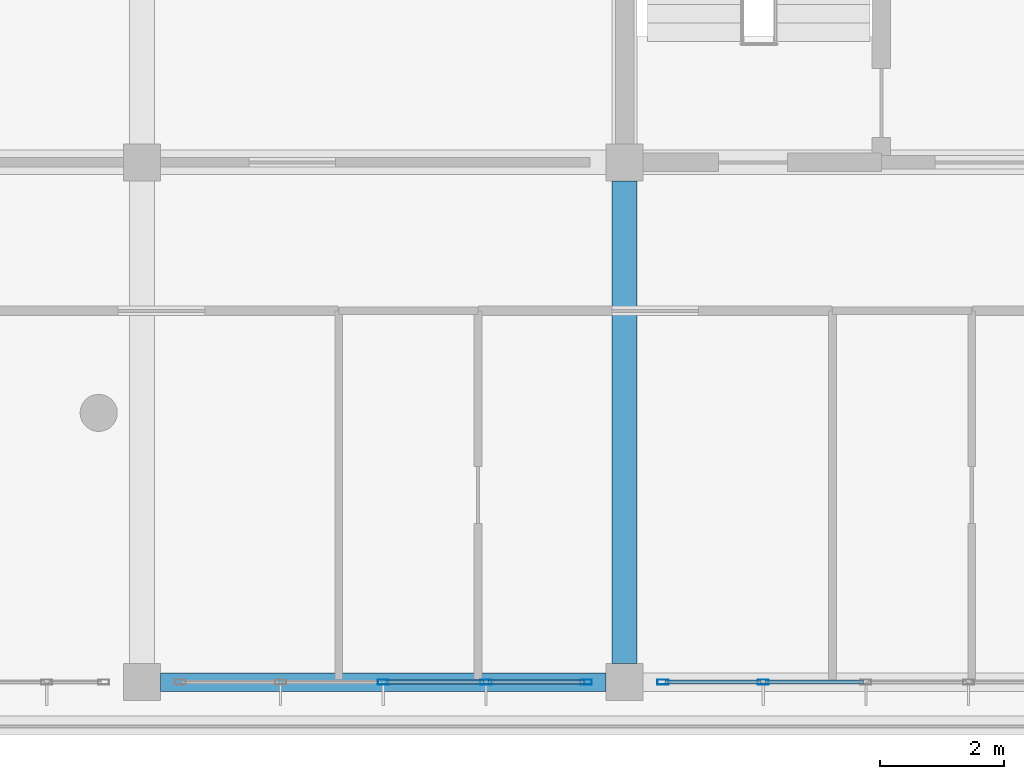
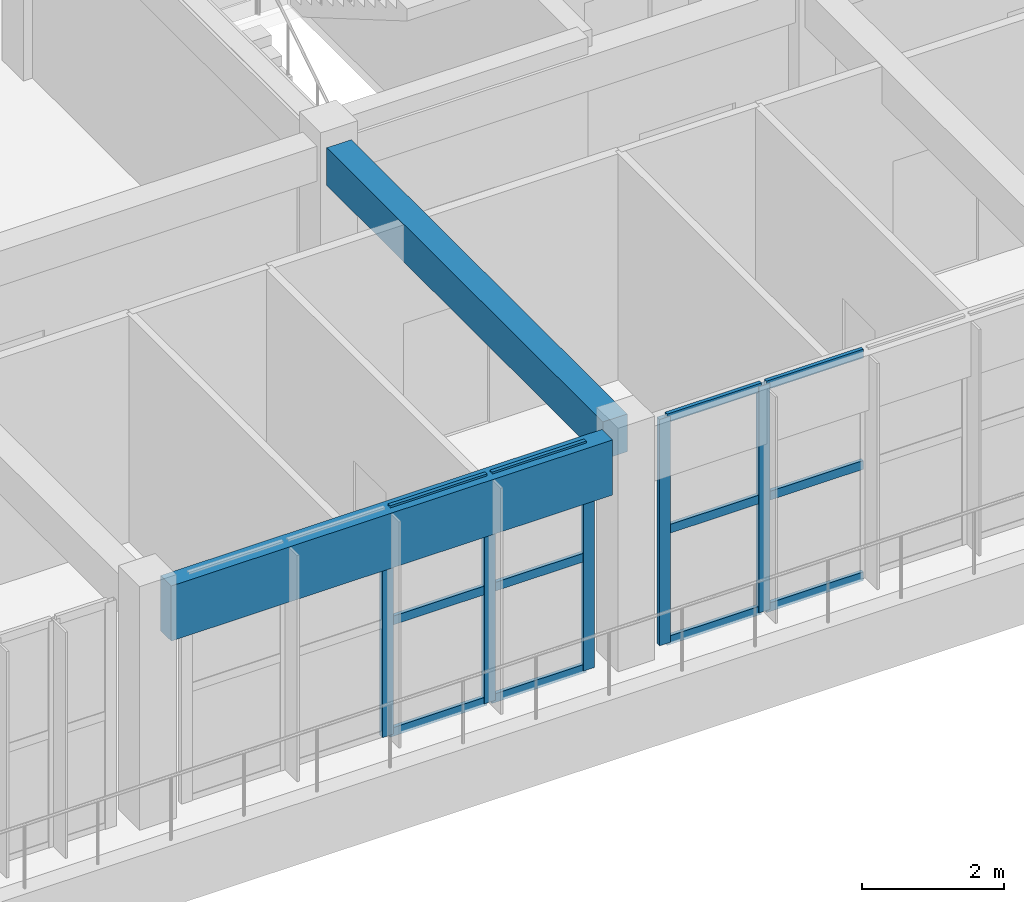
# One storey, part 5 of 56: 17 members, 2 beams, 2 elements without a shape of their own.
"""IFC4 building model written with IfcOpenShell, lengths in metres."""

from ifc_helpers import new_model, si_unit, direction, frame, origin, origin_2d, place, context, subcontext, project, spatial, rectangle, hollow_rectangle, extrude, material, layer, layer_set, material_profile, profile_set, type_object, element, aggregate, save


model = new_model("IFC4")

# Units and contexts
model_context = context("Model", 3, precision=1e-05, world=origin(), true_north=direction((0.0, 1.0)))
body_context = subcontext(model_context, "Body", "Model", "MODEL_VIEW")
ifc_project = project(units=[si_unit("LENGTHUNIT", "METRE"), si_unit("AREAUNIT", "SQUARE_METRE"), si_unit("VOLUMEUNIT", "CUBIC_METRE"), si_unit("PLANEANGLEUNIT", "RADIAN"), si_unit("MASSUNIT", "GRAM", prefix="KILO")], contexts=[model_context])

# Site, building, storey
site_placement = place(None, origin())
site = spatial("IfcSite", under=ifc_project, at=site_placement, CompositionType="ELEMENT")
building_placement = place(site_placement, origin())
building = spatial("IfcBuilding", under=site, at=building_placement, Name="Zizhar Promenade General Hospital", CompositionType="ELEMENT")
storey_placement = place(building_placement, frame((0.0, 0.0, 26.39990234375)))
storey = spatial("IfcBuildingStorey", under=building, at=storey_placement, Name="L06", CompositionType="ELEMENT", Elevation=26.39990234375)

# Beams
ifc_material_1 = material(Name="Precast concrete C40/50", Category="concrete")
ifc_material_profile_1 = material_profile(ifc_material_1, rectangle(XDim=0.300048828125, YDim=0.949951171875, at=origin_2d()))
ifc_profile_set_1 = profile_set([ifc_material_profile_1], Name="Precast concrete C40/50")
beam_type_1 = type_object("IfcBeamType", Name="BM-PC-BAND950", PredefinedType="SPANDREL", material=ifc_profile_set_1)
beam_1_placement = place(storey_placement, frame((39.300048828125, 0.0, 3.43505859375), z_axis=(1.0, 0.0, 0.0), x_axis=(0.0, 1.0, 0.0)))
element("IfcBeam", 1, at=beam_1_placement, inside=storey, type_object=beam_type_1, Name="Grid Beam X L06 (5-0)", PredefinedType="SPANDREL", context=body_context, shape_type="SweptSolid", body=[
    extrude(rectangle(XDim=0.300048828125, YDim=0.949951171875, at=origin_2d()), origin(), (0.0, 0.0, 1.0), 7.199951171875),
])
ifc_material_2 = material(Name="Concrete C35/45", Category="concrete")
ifc_material_profile_2 = material_profile(ifc_material_2, rectangle(XDim=0.39990234375, YDim=0.64990234375, at=origin_2d()))
ifc_profile_set_2 = profile_set([ifc_material_profile_2], Name="Concrete C35/45")
beam_type_2 = type_object("IfcBeamType", Name="BM-RC-400x650", PredefinedType="BEAM", material=ifc_profile_set_2)
beam_2_placement = place(storey_placement, frame((46.800048828125, 0.300048828125, 3.585205078125), z_axis=(0.0, 1.0, 0.0), x_axis=(-1.0, 0.0, 0.0)))
element("IfcBeam", 2, at=beam_2_placement, inside=storey, type_object=beam_type_2, Name="Grid Beam Y L06 (6-0)", PredefinedType="BEAM", context=body_context, shape_type="SweptSolid", body=[
    extrude(rectangle(XDim=0.39990234375, YDim=0.64990234375, at=origin_2d()), origin(), (0.0, 0.0, 1.0), 7.800048828125),
])

# Curtain wall, members
ifc_material_3 = material(Name="Anodised aluminium 6063-T6 and low-E glass", Category="aluminium")
ifc_layer = layer(ifc_material_3, 0.159912109375)
ifc_layer_set = layer_set([ifc_layer], Name="Anodised aluminium 6063-T6 and low-E glass")
curtain_wall_type = type_object("IfcCurtainWallType", Name="CW-WARD-RIB", PredefinedType="NOTDEFINED", material=ifc_layer_set)
curtain_wall_1_placement = place(storey_placement, origin())
curtain_wall_1 = element("IfcCurtainWall", 3, at=curtain_wall_1_placement, inside=storey, type_object=curtain_wall_type, Name="Ward Ribbon Curtain Wall L06-17-8", PredefinedType="NOTDEFINED")
ifc_material_4 = material(Name="Anodised aluminium 6063-T6", Category="aluminium")
ifc_material_profile_3 = material_profile(ifc_material_4, hollow_rectangle(XDim=0.080078125, YDim=0.179931640625, WallThickness=0.0048828125, at=origin_2d()))
ifc_profile_set_3 = profile_set([ifc_material_profile_3], Name="Anodised aluminium 6063-T6")
member_type_1 = type_object("IfcMemberType", Name="CWM-ALU-180x80", PredefinedType="MULLION", material=ifc_profile_set_3)
member_1_placement = place(storey_placement, frame((49.0400390625, 0.0, 0.0), z_axis=(0.0, 0.0, 1.0), x_axis=(0.0, -1.0, 0.0)))
member_1 = element("IfcMember", 4, at=member_1_placement, type_object=member_type_1, Name="CW-13 mullion 4", PredefinedType="MULLION", context=body_context, shape_type="SweptSolid", body=[
    extrude(hollow_rectangle(XDim=0.080078125, YDim=0.179931640625, WallThickness=0.0048828125, at=origin_2d()), origin(), (0.0, 0.0, 1.0), 3.900146484375),
])
member_2_placement = place(storey_placement, frame((47.419921875, 0.0, 0.0), z_axis=(0.0, 0.0, 1.0), x_axis=(0.0, -1.0, 0.0)))
member_2 = element("IfcMember", 5, at=member_2_placement, type_object=member_type_1, Name="CW-13 mullion 5", PredefinedType="MULLION", context=body_context, shape_type="SweptSolid", body=[
    extrude(hollow_rectangle(XDim=0.080078125, YDim=0.179931640625, WallThickness=0.0048828125, at=origin_2d()), origin(), (0.0, 0.0, 1.0), 3.900146484375),
])

curtain_wall_2_placement = place(storey_placement, origin())
curtain_wall_2 = element("IfcCurtainWall", 6, at=curtain_wall_2_placement, inside=storey, type_object=curtain_wall_type, Name="Ward Ribbon Curtain Wall L06-17-9", PredefinedType="NOTDEFINED")
member_3_placement = place(storey_placement, frame((46.179931640625, 0.0, 0.0), z_axis=(0.0, 0.0, 1.0), x_axis=(0.0, -1.0, 0.0)))
member_3 = element("IfcMember", 7, at=member_3_placement, type_object=member_type_1, Name="CW-13 mullion 1", PredefinedType="MULLION", context=body_context, shape_type="SweptSolid", body=[
    extrude(hollow_rectangle(XDim=0.080078125, YDim=0.179931640625, WallThickness=0.0048828125, at=origin_2d()), origin(), (0.0, 0.0, 1.0), 3.900146484375),
])
member_4_placement = place(storey_placement, frame((44.56005859375, 0.0, 0.0), z_axis=(0.0, 0.0, 1.0), x_axis=(0.0, -1.0, 0.0)))
member_4 = element("IfcMember", 8, at=member_4_placement, type_object=member_type_1, Name="CW-13 mullion 2", PredefinedType="MULLION", context=body_context, shape_type="SweptSolid", body=[
    extrude(hollow_rectangle(XDim=0.080078125, YDim=0.179931640625, WallThickness=0.0048828125, at=origin_2d()), origin(), (0.0, 0.0, 1.0), 3.900146484375),
])
member_5_placement = place(storey_placement, frame((42.89990234375, 0.0, 0.0), z_axis=(0.0, 0.0, 1.0), x_axis=(0.0, -1.0, 0.0)))
member_5 = element("IfcMember", 9, at=member_5_placement, type_object=member_type_1, Name="CW-13 mullion 3", PredefinedType="MULLION", context=body_context, shape_type="SweptSolid", body=[
    extrude(hollow_rectangle(XDim=0.080078125, YDim=0.179931640625, WallThickness=0.0048828125, at=origin_2d()), origin(), (0.0, 0.0, 1.0), 3.900146484375),
])

# Member
ifc_material_5 = material(Name="Anodised aluminium 6063-T6", Category="aluminium")
ifc_material_profile_4 = material_profile(ifc_material_5, hollow_rectangle(XDim=0.06005859375, YDim=0.14990234375, WallThickness=0.00390625, at=origin_2d()))
ifc_profile_set_4 = profile_set([ifc_material_profile_4], Name="Anodised aluminium 6063-T6")
member_type_2 = type_object("IfcMemberType", Name="CWT-ALU-150x60", PredefinedType="USERDEFINED", material=ifc_profile_set_4)
member_6_placement = place(storey_placement, frame((50.659912109375, 0.0, 0.030029296875), z_axis=(-1.0, 0.0, 0.0), x_axis=(0.0, -1.0, 0.0)))
member_6 = element("IfcMember", 10, at=member_6_placement, type_object=member_type_2, Name="CW-13 transom 3.1", ObjectType="TRANSOM", PredefinedType="USERDEFINED", context=body_context, shape_type="SweptSolid", body=[
    extrude(hollow_rectangle(XDim=0.06005859375, YDim=0.14990234375, WallThickness=0.00390625, at=origin_2d()), origin(), (0.0, 0.0, 1.0), 1.579833984375),
])

member_7_placement = place(storey_placement, frame((50.659912109375, 0.0, 1.9501953125), z_axis=(-1.0, 0.0, 0.0), x_axis=(0.0, -1.0, 0.0)))
member_7 = element("IfcMember", 11, at=member_7_placement, type_object=member_type_2, Name="CW-13 transom 3.2", ObjectType="TRANSOM", PredefinedType="USERDEFINED", context=body_context, shape_type="SweptSolid", body=[
    extrude(hollow_rectangle(XDim=0.06005859375, YDim=0.14990234375, WallThickness=0.00390625, at=origin_2d()), origin(), (0.0, 0.0, 1.0), 1.579833984375),
])

member_8_placement = place(storey_placement, frame((50.659912109375, 0.0, 3.8701171875), z_axis=(-1.0, 0.0, 0.0), x_axis=(0.0, -1.0, 0.0)))
member_8 = element("IfcMember", 12, at=member_8_placement, type_object=member_type_2, Name="CW-13 transom 3.3", ObjectType="TRANSOM", PredefinedType="USERDEFINED", context=body_context, shape_type="SweptSolid", body=[
    extrude(hollow_rectangle(XDim=0.06005859375, YDim=0.14990234375, WallThickness=0.00390625, at=origin_2d()), origin(), (0.0, 0.0, 1.0), 1.579833984375),
])

member_9_placement = place(storey_placement, frame((49.0, 0.0, 0.030029296875), z_axis=(-1.0, 0.0, 0.0), x_axis=(0.0, -1.0, 0.0)))
member_9 = element("IfcMember", 13, at=member_9_placement, type_object=member_type_2, Name="CW-13 transom 4.1", ObjectType="TRANSOM", PredefinedType="USERDEFINED", context=body_context, shape_type="SweptSolid", body=[
    extrude(hollow_rectangle(XDim=0.06005859375, YDim=0.14990234375, WallThickness=0.00390625, at=origin_2d()), origin(), (0.0, 0.0, 1.0), 1.5400390625),
])

member_10_placement = place(storey_placement, frame((49.0, 0.0, 1.9501953125), z_axis=(-1.0, 0.0, 0.0), x_axis=(0.0, -1.0, 0.0)))
member_10 = element("IfcMember", 14, at=member_10_placement, type_object=member_type_2, Name="CW-13 transom 4.2", ObjectType="TRANSOM", PredefinedType="USERDEFINED", context=body_context, shape_type="SweptSolid", body=[
    extrude(hollow_rectangle(XDim=0.06005859375, YDim=0.14990234375, WallThickness=0.00390625, at=origin_2d()), origin(), (0.0, 0.0, 1.0), 1.5400390625),
])

member_11_placement = place(storey_placement, frame((49.0, 0.0, 3.8701171875), z_axis=(-1.0, 0.0, 0.0), x_axis=(0.0, -1.0, 0.0)))
member_11 = element("IfcMember", 15, at=member_11_placement, type_object=member_type_2, Name="CW-13 transom 4.3", ObjectType="TRANSOM", PredefinedType="USERDEFINED", context=body_context, shape_type="SweptSolid", body=[
    extrude(hollow_rectangle(XDim=0.06005859375, YDim=0.14990234375, WallThickness=0.00390625, at=origin_2d()), origin(), (0.0, 0.0, 1.0), 1.5400390625),
])

aggregate(curtain_wall_1, [member_1, member_2, member_6, member_7, member_8, member_9, member_10, member_11])

member_12_placement = place(storey_placement, frame((46.139892578125, 0.0, 0.030029296875), z_axis=(-1.0, 0.0, 0.0), x_axis=(0.0, -1.0, 0.0)))
member_12 = element("IfcMember", 16, at=member_12_placement, type_object=member_type_2, Name="CW-13 transom 1.1", ObjectType="TRANSOM", PredefinedType="USERDEFINED", context=body_context, shape_type="SweptSolid", body=[
    extrude(hollow_rectangle(XDim=0.06005859375, YDim=0.14990234375, WallThickness=0.00390625, at=origin_2d()), origin(), (0.0, 0.0, 1.0), 1.539794921875),
])

member_13_placement = place(storey_placement, frame((46.139892578125, 0.0, 1.9501953125), z_axis=(-1.0, 0.0, 0.0), x_axis=(0.0, -1.0, 0.0)))
member_13 = element("IfcMember", 17, at=member_13_placement, type_object=member_type_2, Name="CW-13 transom 1.2", ObjectType="TRANSOM", PredefinedType="USERDEFINED", context=body_context, shape_type="SweptSolid", body=[
    extrude(hollow_rectangle(XDim=0.06005859375, YDim=0.14990234375, WallThickness=0.00390625, at=origin_2d()), origin(), (0.0, 0.0, 1.0), 1.539794921875),
])

member_14_placement = place(storey_placement, frame((46.139892578125, 0.0, 3.8701171875), z_axis=(-1.0, 0.0, 0.0), x_axis=(0.0, -1.0, 0.0)))
member_14 = element("IfcMember", 18, at=member_14_placement, type_object=member_type_2, Name="CW-13 transom 1.3", ObjectType="TRANSOM", PredefinedType="USERDEFINED", context=body_context, shape_type="SweptSolid", body=[
    extrude(hollow_rectangle(XDim=0.06005859375, YDim=0.14990234375, WallThickness=0.00390625, at=origin_2d()), origin(), (0.0, 0.0, 1.0), 1.539794921875),
])

member_15_placement = place(storey_placement, frame((44.52001953125, 0.0, 0.030029296875), z_axis=(-1.0, 0.0, 0.0), x_axis=(0.0, -1.0, 0.0)))
member_15 = element("IfcMember", 19, at=member_15_placement, type_object=member_type_2, Name="CW-13 transom 2.1", ObjectType="TRANSOM", PredefinedType="USERDEFINED", context=body_context, shape_type="SweptSolid", body=[
    extrude(hollow_rectangle(XDim=0.06005859375, YDim=0.14990234375, WallThickness=0.00390625, at=origin_2d()), origin(), (0.0, 0.0, 1.0), 1.580078125),
])

member_16_placement = place(storey_placement, frame((44.52001953125, 0.0, 1.9501953125), z_axis=(-1.0, 0.0, 0.0), x_axis=(0.0, -1.0, 0.0)))
member_16 = element("IfcMember", 20, at=member_16_placement, type_object=member_type_2, Name="CW-13 transom 2.2", ObjectType="TRANSOM", PredefinedType="USERDEFINED", context=body_context, shape_type="SweptSolid", body=[
    extrude(hollow_rectangle(XDim=0.06005859375, YDim=0.14990234375, WallThickness=0.00390625, at=origin_2d()), origin(), (0.0, 0.0, 1.0), 1.580078125),
])

member_17_placement = place(storey_placement, frame((44.52001953125, 0.0, 3.8701171875), z_axis=(-1.0, 0.0, 0.0), x_axis=(0.0, -1.0, 0.0)))
member_17 = element("IfcMember", 21, at=member_17_placement, type_object=member_type_2, Name="CW-13 transom 2.3", ObjectType="TRANSOM", PredefinedType="USERDEFINED", context=body_context, shape_type="SweptSolid", body=[
    extrude(hollow_rectangle(XDim=0.06005859375, YDim=0.14990234375, WallThickness=0.00390625, at=origin_2d()), origin(), (0.0, 0.0, 1.0), 1.580078125),
])

aggregate(curtain_wall_2, [member_3, member_4, member_5, member_12, member_13, member_14, member_15, member_16, member_17])

save(model, "model.ifc")
